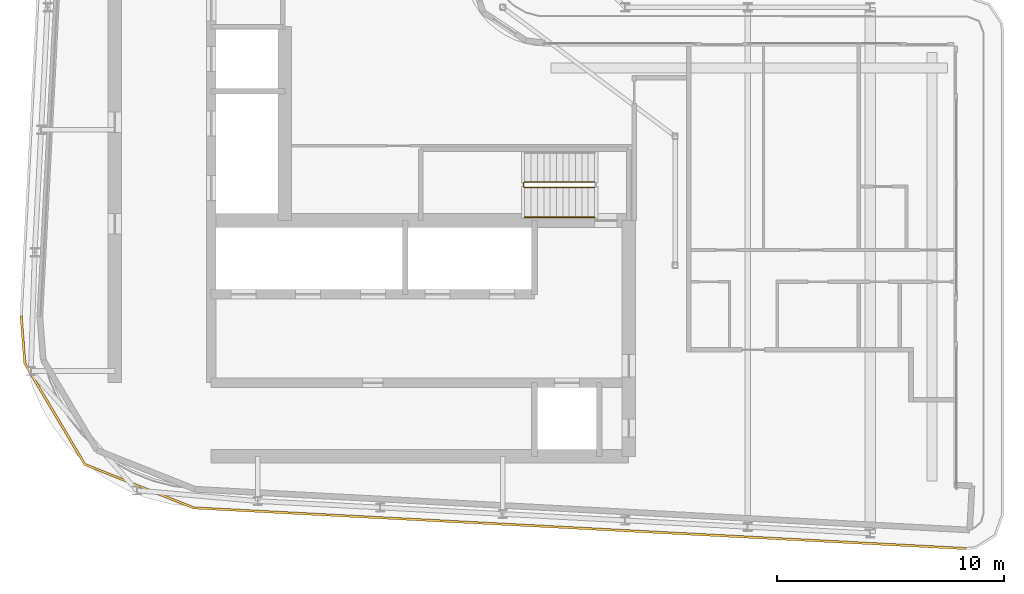
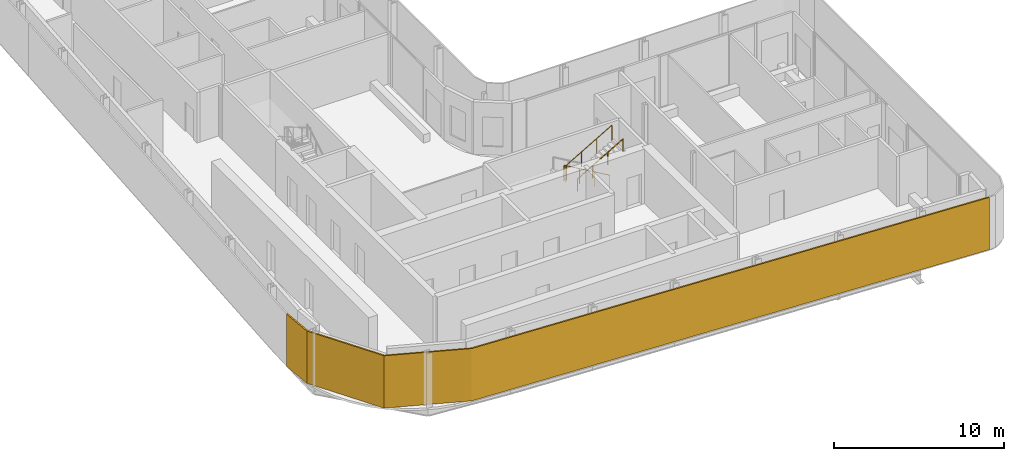
# One storey, part 16 of 21: 2 railings, 1 shading device.
"""IFC4 building model written with IfcOpenShell, lengths in metres."""

from ifc_helpers import new_model, si_unit, direction, frame, origin, origin_2d, place, context, subcontext, project, spatial, polyline, circle, outline, extrude, material, layer, layer_set, type_object, element, save


model = new_model("IFC4")

# Units and contexts
model_context = context("Model", 3, precision=1e-05, world=origin(), true_north=direction((0.0, 1.0)))
body_context = subcontext(model_context, "Body", "Model", "MODEL_VIEW")
ifc_project = project(units=[si_unit("LENGTHUNIT", "METRE"), si_unit("AREAUNIT", "SQUARE_METRE"), si_unit("VOLUMEUNIT", "CUBIC_METRE"), si_unit("PLANEANGLEUNIT", "RADIAN"), si_unit("MASSUNIT", "GRAM", prefix="KILO")], contexts=[model_context])

# Site, building, storey
site_placement = place(None, origin())
site = spatial("IfcSite", under=ifc_project, at=site_placement, CompositionType="ELEMENT")
building_placement = place(site_placement, origin())
building = spatial("IfcBuilding", under=site, at=building_placement, Name="Kheshtan School and Residences Tower", CompositionType="ELEMENT")
storey_placement = place(building_placement, frame((0.0, 0.0, 302.0)))
storey = spatial("IfcBuildingStorey", under=building, at=storey_placement, Name="L71", CompositionType="ELEMENT", Elevation=302.0)

# Shading device
ifc_material_1 = material(Name="Terracotta baguette, extruded ceramic", Category="masonry")
ifc_layer = layer(ifc_material_1, 0.10009765625)
ifc_layer_set = layer_set([ifc_layer], Name="Ledge screen, terracotta baguettes")
shading_device_type = type_object("IfcShadingDeviceType", Name="Ledge screen, terracotta baguettes", PredefinedType="USERDEFINED", material=ifc_layer_set)
shading_device_placement = place(storey_placement, origin())
element("IfcShadingDevice", 1, at=shading_device_placement, inside=storey, type_object=shading_device_type, Name="Screen L71 3", ObjectType="BAGUETTE", PredefinedType="USERDEFINED", context=body_context, shape_type="SweptSolid", body=[
    extrude(outline(polyline([(68.02099609375, 21.7880859375), (33.989013671875, 23.580078125), (29.2119140625, 25.486083984375), (26.583984375, 29.906982421875), (26.419921875, 31.989013671875), (26.320068359375, 31.98095703125), (26.486083984375, 29.8759765625), (29.14306640625, 25.406005859375), (33.967041015625, 23.48095703125), (68.01611328125, 21.68798828125), (68.02099609375, 21.7880859375)])), origin(), (0.0, 0.0, 1.0), 3.75),
])

# Railings
ifc_material_2 = material(Name="Stainless steel balustrade", Category="steel")
railing_type_1 = type_object("IfcRailingType", Name="Stair guard 1100", PredefinedType="GUARDRAIL", material=ifc_material_2)
railing_1_placement = place(storey_placement, frame((51.64990234375, 37.89990234375, 0.16259765625)))
element("IfcRailing", 2, at=railing_1_placement, inside=storey, type_object=railing_type_1, Name="L71 ST1 stair guard 1", PredefinedType="GUARDRAIL", context=body_context, shape_type="SweptSolid", body=[
    extrude(circle(Radius=0.02392578125, at=origin_2d()), frame((0.0, 0.0, 1.076171875), z_axis=(-0.864903211148, 0.0, 0.501938676878), x_axis=(0.0, -1.0, 0.0)), (0.0, 0.0, 1.0), 3.560791015625),
    extrude(circle(Radius=0.02392578125, at=origin_2d()), frame((-3.079833984375, 0.0, 2.86328125), z_axis=(-0.708833529934, -0.705375805398, 0.0), x_axis=(0.705375805398, -0.708833529934, 0.0)), (0.0, 0.0, 1.0), 0.070556640625),
    extrude(circle(Radius=0.02392578125, at=origin_2d()), frame((-3.1298828125, -0.0498046875, 2.86328125), z_axis=(0.0, -1.0, 0.0), x_axis=(1.0, 0.0, 0.0)), (0.0, 0.0, 1.0), 0.150146484375),
    extrude(circle(Radius=0.02392578125, at=origin_2d()), frame((-3.1298828125, -0.199951171875, 2.86328125), z_axis=(0.282227285176, -0.282227285176, 0.916894497205), x_axis=(0.707106781187, 0.707106781187, 0.0)), (0.0, 0.0, 1.0), 0.17724609375),
    extrude(circle(Radius=0.02392578125, at=origin_2d()), frame((-3.079833984375, -0.25, 3.02587890625), z_axis=(0.864903211148, 0.0, 0.501938676878), x_axis=(0.0, 1.0, 0.0)), (0.0, 0.0, 1.0), 3.560791015625),
    extrude(circle(Radius=0.02099609375, at=origin_2d()), origin(), (0.0, 0.0, 1.0), 1.052001953125),
    extrude(circle(Radius=0.02099609375, at=origin_2d()), frame((-1.026611328125, 0.0, 0.595703125)), (0.0, 0.0, 1.0), 1.052001953125),
    extrude(circle(Radius=0.02099609375, at=origin_2d()), frame((-2.05322265625, 0.0, 1.191650390625)), (0.0, 0.0, 1.0), 1.052001953125),
    extrude(circle(Radius=0.02099609375, at=origin_2d()), frame((-3.079833984375, 0.0, 1.787353515625)), (0.0, 0.0, 1.0), 1.052001953125),
    extrude(circle(Radius=0.02099609375, at=origin_2d()), frame((-3.1298828125, -0.0498046875, 1.787353515625)), (0.0, 0.0, 1.0), 1.052001953125),
    extrude(circle(Radius=0.02099609375, at=origin_2d()), frame((-3.1298828125, -0.199951171875, 1.787353515625)), (0.0, 0.0, 1.0), 1.052001953125),
    extrude(circle(Radius=0.02099609375, at=origin_2d()), frame((-3.079833984375, -0.25, 1.949951171875)), (0.0, 0.0, 1.0), 1.052001953125),
    extrude(circle(Radius=0.02099609375, at=origin_2d()), frame((-2.05322265625, -0.25, 2.545654296875)), (0.0, 0.0, 1.0), 1.052001953125),
    extrude(circle(Radius=0.02099609375, at=origin_2d()), frame((-1.026611328125, -0.25, 3.1416015625)), (0.0, 0.0, 1.0), 1.052001953125),
    extrude(circle(Radius=0.02099609375, at=origin_2d()), frame((0.0, -0.25, 3.7373046875)), (0.0, 0.0, 1.0), 1.052001953125),
])
ifc_material_3 = material(Name="Stainless steel handrail", Category="steel")
railing_type_2 = type_object("IfcRailingType", Name="Stair handrail 900", PredefinedType="HANDRAIL", material=ifc_material_3)
railing_2_placement = place(storey_placement, frame((48.570068359375, 36.35009765625, 2.112548828125)))
element("IfcRailing", 3, at=railing_2_placement, inside=storey, type_object=railing_type_2, Name="L71 ST1 stair handrail 2", PredefinedType="HANDRAIL", context=body_context, shape_type="SweptSolid", body=[
    extrude(circle(Radius=0.02392578125, at=origin_2d()), frame((0.0, 0.0, 0.8759765625), z_axis=(0.864903211148, 0.0, 0.501938676878), x_axis=(0.0, 1.0, 0.0)), (0.0, 0.0, 1.0), 3.560791015625),
    extrude(circle(Radius=0.02099609375, at=origin_2d()), origin(), (0.0, 0.0, 1.0), 0.851806640625),
    extrude(circle(Radius=0.02099609375, at=origin_2d()), frame((1.026611328125, 0.0, 0.595703125)), (0.0, 0.0, 1.0), 0.851806640625),
    extrude(circle(Radius=0.02099609375, at=origin_2d()), frame((2.05322265625, 0.0, 1.191650390625)), (0.0, 0.0, 1.0), 0.851806640625),
    extrude(circle(Radius=0.02099609375, at=origin_2d()), frame((3.079833984375, 0.0, 1.787353515625)), (0.0, 0.0, 1.0), 0.851806640625),
])

save(model, "model.ifc")
